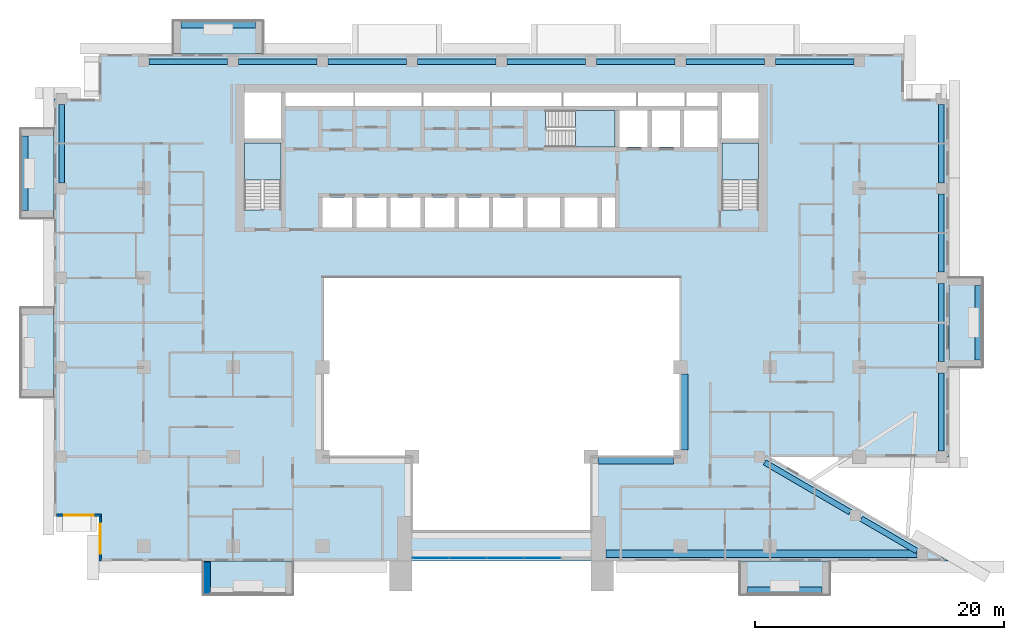
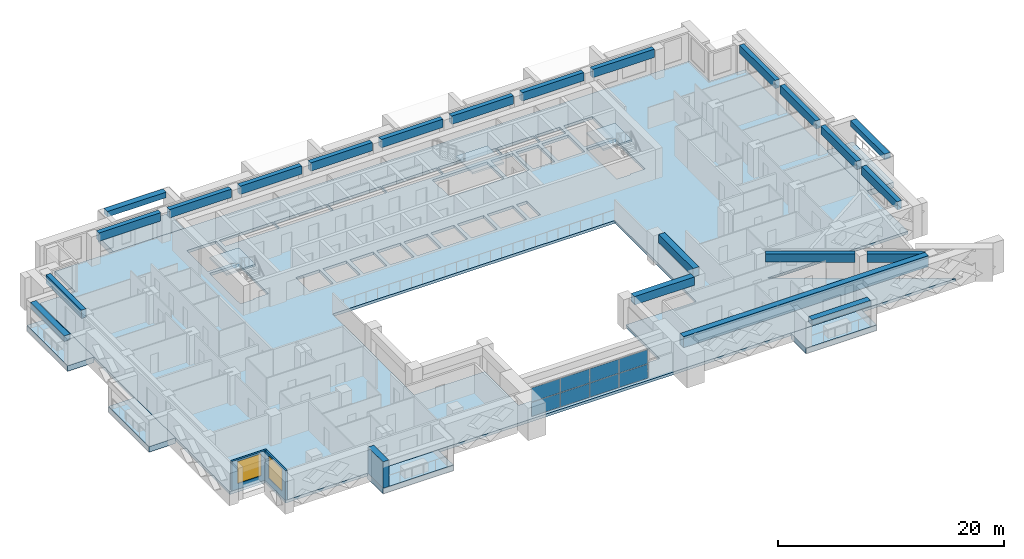
# One storey, part 5 of 20: 22 beams, 10 slabs, 8 plates, 3 walls, 2 windows, 2 openings, 4 elements without a shape of their own.
"""IFC4 building model written with IfcOpenShell, lengths in metres."""

from ifc_helpers import new_model, si_unit, direction, frame, frame_2d, origin, origin_2d, place, context, subcontext, project, spatial, polyline, rectangle, outline, extrude, source, transform, mapped, material, layer, layer_set, material_profile, profile_set, type_object, element, fill, aggregate, save


model = new_model("IFC4")

# Units and contexts
model_context = context("Model", 3, precision=1e-05, world=origin(), true_north=direction((0.0, 1.0)))
body_context = subcontext(model_context, "Body", "Model", "MODEL_VIEW")
ifc_project = project(units=[si_unit("LENGTHUNIT", "METRE"), si_unit("AREAUNIT", "SQUARE_METRE"), si_unit("VOLUMEUNIT", "CUBIC_METRE"), si_unit("PLANEANGLEUNIT", "RADIAN"), si_unit("MASSUNIT", "GRAM", prefix="KILO")], contexts=[model_context])

# Site, building, storey
site_placement = place(None, origin())
site = spatial("IfcSite", under=ifc_project, at=site_placement, CompositionType="ELEMENT")
building_placement = place(site_placement, origin())
building = spatial("IfcBuilding", under=site, at=building_placement, Name="Saffron Iwan Residences", CompositionType="ELEMENT")
storey_placement = place(building_placement, frame((0.0, 0.0, 123.5)))
storey = spatial("IfcBuildingStorey", under=building, at=storey_placement, Name="L32", CompositionType="ELEMENT", Elevation=123.5)

# Beams
ifc_material_1 = material(Name="Concrete C50/60", Category="concrete")
ifc_material_profile_1 = material_profile(ifc_material_1, rectangle(XDim=0.449951171875, YDim=0.89990234375, at=origin_2d()), Name="RC 450x900")
ifc_profile_set_1 = profile_set([ifc_material_profile_1], Name="Concrete C50/60")
beam_type_1 = type_object("IfcBeamType", Name="SPANDREL BEAM RC 450x900 C50/60 TOP 3200", PredefinedType="SPANDREL", material=ifc_profile_set_1)
shared_shape_1 = source(origin(), body_context, "Body", "SweptSolid", [
    extrude(rectangle(XDim=0.449951171875, YDim=0.89990234375, at=origin_2d()), origin(), (0.0, 0.0, 1.0), 5.184814453125),
])
beam_1_placement = place(storey_placement, frame((79.34765625, 43.019287109375, 2.75), z_axis=(0.86377206948, -0.503882736345, 0.0), x_axis=(0.503882736345, 0.86377206948, 0.0)))
element("IfcBeam", 1, at=beam_1_placement, inside=storey, type_object=beam_type_1, Name="Spandrel beam", PredefinedType="SPANDREL", context=body_context, shape_type="MappedRepresentation", body=[
    mapped(shared_shape_1, transform((0.0, 0.0, 0.0))),
])
shared_shape_2 = source(origin(), body_context, "Body", "SweptSolid", [
    extrude(rectangle(XDim=0.449951171875, YDim=0.89990234375, at=origin_2d()), origin(), (0.0, 0.0, 1.0), 7.9501953125),
])
beam_2_placement = place(storey_placement, frame((71.58056640625, 47.550048828125, 2.75), z_axis=(0.863778900898, -0.503871025524, 0.0), x_axis=(0.503871025524, 0.863778900898, 0.0)))
element("IfcBeam", 2, at=beam_2_placement, inside=storey, type_object=beam_type_1, Name="Spandrel beam", PredefinedType="SPANDREL", context=body_context, shape_type="MappedRepresentation", body=[
    mapped(shared_shape_2, transform((0.0, 0.0, 0.0))),
])
shared_shape_3 = source(origin(), body_context, "Body", "SweptSolid", [
    extrude(rectangle(XDim=0.449951171875, YDim=0.89990234375, at=origin_2d()), origin(), (0.0, 0.0, 1.0), 6.300048828125),
])
for number, where, z_axis, x_axis, name in (
    (3, (85.800048828125, 54.75, 2.75), (0.0, -1.0, 0.0), (1.0, 0.0, 0.0), "Spandrel beam"),
    (4, (85.800048828125, 61.949951171875, 2.75), (0.0, -1.0, 0.0), (1.0, 0.0, 0.0), "Spandrel beam"),
    (5, (15.0, 70.050048828125, 2.75), (0.0, 1.0, 0.0), (-1.0, 0.0, 0.0), "Spandrel beam"),
    (6, (85.800048828125, 76.35009765625, 2.75), (0.0, -1.0, 0.0), (1.0, 0.0, 0.0), "Spandrel beam"),
    (7, (22.050048828125, 79.800048828125, 2.75), (1.0, 0.0, 0.0), (0.0, 1.0, 0.0), "Spandrel beam"),
    (8, (29.25, 79.800048828125, 2.75), (1.0, 0.0, 0.0), (0.0, 1.0, 0.0), "Spandrel beam"),
    (9, (36.449951171875, 79.800048828125, 2.75), (1.0, 0.0, 0.0), (0.0, 1.0, 0.0), "Spandrel beam"),
    (10, (43.64990234375, 79.800048828125, 2.75), (1.0, 0.0, 0.0), (0.0, 1.0, 0.0), "Spandrel beam"),
    (11, (58.050048828125, 79.800048828125, 2.75), (1.0, 0.0, 0.0), (0.0, 1.0, 0.0), "Spandrel beam"),
    (12, (65.25, 79.800048828125, 2.75), (1.0, 0.0, 0.0), (0.0, 1.0, 0.0), "Spandrel beam"),
    (13, (72.449951171875, 79.800048828125, 2.75), (1.0, 0.0, 0.0), (0.0, 1.0, 0.0), "Spandrel beam"),
):
    element("IfcBeam", number, at=place(storey_placement, frame(where, z_axis=z_axis, x_axis=x_axis)), inside=storey, type_object=beam_type_1, Name=name, PredefinedType="SPANDREL", context=body_context, shape_type="MappedRepresentation", body=[
        mapped(shared_shape_3, transform((0.0, 0.0, 0.0))),
    ])
shared_shape_4 = source(origin(), body_context, "Body", "SweptSolid", [
    extrude(rectangle(XDim=0.449951171875, YDim=0.89990234375, at=origin_2d()), origin(), (0.0, 0.0, 1.0), 6.2998046875),
])
for number, where, z_axis, x_axis, name in (
    (14, (85.800048828125, 69.14990234375, 2.75), (0.0, -1.0, 0.0), (1.0, 0.0, 0.0), "Spandrel beam"),
    (15, (50.85009765625, 79.800048828125, 2.75), (1.0, 0.0, 0.0), (0.0, 1.0, 0.0), "Spandrel beam"),
):
    element("IfcBeam", number, at=place(storey_placement, frame(where, z_axis=z_axis, x_axis=x_axis)), inside=storey, type_object=beam_type_1, Name=name, PredefinedType="SPANDREL", context=body_context, shape_type="MappedRepresentation", body=[
        mapped(shared_shape_4, transform((0.0, 0.0, 0.0))),
    ])
ifc_material_profile_2 = material_profile(ifc_material_1, rectangle(XDim=0.60009765625, YDim=1.199951171875, at=origin_2d()), Name="RC 600x1200")
ifc_profile_set_2 = profile_set([ifc_material_profile_2], Name="Concrete C50/60")
beam_type_2 = type_object("IfcBeamType", Name="LINTEL BEAM RC 600x1200 C50/60 TOP 3200", PredefinedType="LINTEL", material=ifc_profile_set_2)
shared_shape_5 = source(origin(), body_context, "Body", "SweptSolid", [
    extrude(rectangle(XDim=0.60009765625, YDim=1.199951171875, at=origin_2d()), origin(), (0.0, 0.0, 1.0), 25.026123046875),
])
beam_3_placement = place(storey_placement, frame((83.826171875, 40.199951171875, 2.60009765625), z_axis=(-1.0, 0.0, 0.0), x_axis=(0.0, -1.0, 0.0)))
element("IfcBeam", 16, at=beam_3_placement, inside=storey, type_object=beam_type_2, Name="Lintel beam over the iwan", PredefinedType="LINTEL", context=body_context, shape_type="MappedRepresentation", body=[
    mapped(shared_shape_5, transform((0.0, 0.0, 0.0))),
])
ifc_material_profile_3 = material_profile(ifc_material_1, rectangle(XDim=0.60009765625, YDim=0.89990234375, at=origin_2d()), Name="RC 600x900")
ifc_profile_set_3 = profile_set([ifc_material_profile_3], Name="Concrete C50/60")
beam_type_3 = type_object("IfcBeamType", Name="BEAM RC 600x900 C50/60 TOP 3200", PredefinedType="BEAM", material=ifc_profile_set_3)
shared_shape_6 = source(origin(), body_context, "Body", "SweptSolid", [
    extrude(rectangle(XDim=0.60009765625, YDim=0.89990234375, at=origin_2d()), origin(), (0.0, 0.0, 1.0), 6.099853515625),
])
beam_4_placement = place(storey_placement, frame((65.10009765625, 54.64990234375, 2.75), z_axis=(0.0, -1.0, 0.0), x_axis=(1.0, 0.0, 0.0)))
element("IfcBeam", 17, at=beam_4_placement, inside=storey, type_object=beam_type_3, Name="Atrium edge beam", PredefinedType="BEAM", context=body_context, shape_type="MappedRepresentation", body=[
    mapped(shared_shape_6, transform((0.0, 0.0, 0.0))),
])
shared_shape_7 = source(origin(), body_context, "Body", "SweptSolid", [
    extrude(rectangle(XDim=0.60009765625, YDim=0.89990234375, at=origin_2d()), origin(), (0.0, 0.0, 1.0), 6.10009765625),
])
beam_5_placement = place(storey_placement, frame((64.25, 47.699951171875, 2.75), z_axis=(-1.0, 0.0, 0.0), x_axis=(0.0, -1.0, 0.0)))
element("IfcBeam", 18, at=beam_5_placement, inside=storey, type_object=beam_type_3, Name="Atrium edge beam", PredefinedType="BEAM", context=body_context, shape_type="MappedRepresentation", body=[
    mapped(shared_shape_7, transform((0.0, 0.0, 0.0))),
])
ifc_material_2 = material(Name="Concrete C50/60 white painted", Category="concrete")
ifc_material_profile_4 = material_profile(ifc_material_2, rectangle(XDim=0.60009765625, YDim=0.60009765625, at=origin_2d()), Name="BALCONY FASCIA BEAM 600 x 600")
ifc_profile_set_4 = profile_set([ifc_material_profile_4], Name="Concrete C50/60 white painted")
beam_type_4 = type_object("IfcBeamType", Name="BALCONY FASCIA BEAM 600 x 600", PredefinedType="BEAM", material=ifc_profile_set_4)
shared_shape_8 = source(origin(), body_context, "Body", "SweptSolid", [
    extrude(rectangle(XDim=0.60009765625, YDim=0.60009765625, at=origin_2d()), origin(), (0.0, 0.0, 1.0), 6.0),
])
for number, where, z_axis, x_axis, name in (
    (19, (88.800048828125, 55.800048828125, 2.550048828125), (0.0, 1.0, 0.0), (-1.0, 0.0, 0.0), "Balcony fascia beam L32 F2-0"),
    (20, (30.60009765625, 82.800048828125, 2.550048828125), (-1.0, 0.0, 0.0), (0.0, -1.0, 0.0), "Balcony fascia beam L32 F5-3"),
    (21, (12.0, 73.800048828125, 2.550048828125), (0.0, -1.0, 0.0), (1.0, 0.0, 0.0), "Balcony fascia beam L32 F8-0"),
    (22, (70.199951171875, 37.199951171875, 2.550048828125), (1.0, 0.0, 0.0), (0.0, 1.0, 0.0), "Balcony fascia beam L32 11-1"),
):
    element("IfcBeam", number, at=place(storey_placement, frame(where, z_axis=z_axis, x_axis=x_axis)), inside=storey, type_object=beam_type_4, Name=name, PredefinedType="BEAM", context=body_context, shape_type="MappedRepresentation", body=[
        mapped(shared_shape_8, transform((0.0, 0.0, 0.0))),
    ])

# Slabs
ifc_layer_1 = layer(ifc_material_2, 0.60009765625)
ifc_layer_set_1 = layer_set([ifc_layer_1], Name="Concrete C50/60 white painted")
slab_type_1 = type_object("IfcSlabType", Name="BALCONY FRAME SLAB 600", PredefinedType="FLOOR", material=ifc_layer_set_1)
slab_1_placement = place(storey_placement, frame((0.0, 0.0, -0.60009765625)))
element("IfcSlab", 23, at=slab_1_placement, inside=storey, type_object=slab_type_1, Name="Balcony frame slab L32 F2-0", PredefinedType="FLOOR", context=body_context, shape_type="SweptSolid", body=[
    extrude(outline(polyline([(89.10009765625, 55.199951171875), (89.10009765625, 62.39990234375), (86.39990234375, 62.39990234375), (86.39990234375, 55.199951171875), (89.10009765625, 55.199951171875)])), origin(), (0.0, 0.0, 1.0), 0.60009765625),
])
slab_2_placement = place(storey_placement, frame((0.0, 0.0, -0.60009765625)))
element("IfcSlab", 24, at=slab_2_placement, inside=storey, type_object=slab_type_1, Name="Balcony frame slab L32 F5-3", PredefinedType="FLOOR", context=body_context, shape_type="SweptSolid", body=[
    extrude(outline(polyline([(31.199951171875, 83.10009765625), (24.0, 83.10009765625), (24.0, 80.39990234375), (31.199951171875, 80.39990234375), (31.199951171875, 83.10009765625)])), origin(), (0.0, 0.0, 1.0), 0.60009765625),
])
slab_3_placement = place(storey_placement, frame((0.0, 0.0, -0.60009765625)))
element("IfcSlab", 25, at=slab_3_placement, inside=storey, type_object=slab_type_1, Name="Balcony frame slab L32 F8-0", PredefinedType="FLOOR", context=body_context, shape_type="SweptSolid", body=[
    extrude(outline(polyline([(11.699951171875, 74.39990234375), (11.699951171875, 67.199951171875), (14.39990234375, 67.199951171875), (14.39990234375, 74.39990234375), (11.699951171875, 74.39990234375)])), origin(), (0.0, 0.0, 1.0), 0.60009765625),
])
slab_4_placement = place(storey_placement, frame((0.0, 0.0, -0.60009765625)))
element("IfcSlab", 26, at=slab_4_placement, inside=storey, type_object=slab_type_1, Name="Balcony frame slab L32 F8-1", PredefinedType="FLOOR", context=body_context, shape_type="SweptSolid", body=[
    extrude(outline(polyline([(11.699951171875, 60.0), (11.699951171875, 52.800048828125), (14.39990234375, 52.800048828125), (14.39990234375, 60.0), (11.699951171875, 60.0)])), origin(), (0.0, 0.0, 1.0), 0.60009765625),
])
slab_5_placement = place(storey_placement, frame((0.0, 0.0, -0.60009765625)))
element("IfcSlab", 27, at=slab_5_placement, inside=storey, type_object=slab_type_1, Name="Balcony frame slab L32 11-0", PredefinedType="FLOOR", context=body_context, shape_type="SweptSolid", body=[
    extrude(outline(polyline([(26.39990234375, 36.89990234375), (33.60009765625, 36.89990234375), (33.60009765625, 39.60009765625), (26.39990234375, 39.60009765625), (26.39990234375, 36.89990234375)])), origin(), (0.0, 0.0, 1.0), 0.60009765625),
])
slab_6_placement = place(storey_placement, frame((0.0, 0.0, -0.60009765625)))
element("IfcSlab", 28, at=slab_6_placement, inside=storey, type_object=slab_type_1, Name="Balcony frame slab L32 11-1", PredefinedType="FLOOR", context=body_context, shape_type="SweptSolid", body=[
    extrude(outline(polyline([(69.60009765625, 36.89990234375), (76.800048828125, 36.89990234375), (76.800048828125, 39.60009765625), (69.60009765625, 39.60009765625), (69.60009765625, 36.89990234375)])), origin(), (0.0, 0.0, 1.0), 0.60009765625),
])
ifc_material_3 = material(Name="Concrete C40/50", Category="concrete")
ifc_layer_2 = layer(ifc_material_3, 0.300048828125)
ifc_layer_set_2 = layer_set([ifc_layer_2], Name="Concrete C40/50")
slab_type_2 = type_object("IfcSlabType", Name="PT PLATE 300 C40/50", PredefinedType="FLOOR", material=ifc_layer_set_2)
slab_7_placement = place(storey_placement, frame((0.0, 0.0, -0.300048828125)))
element("IfcSlab", 29, at=slab_7_placement, inside=storey, type_object=slab_type_2, Name="Floor slab L32", PredefinedType="FLOOR", context=body_context, shape_type="SweptSolid", body=[
    extrude(outline(polyline([(14.39990234375, 43.199951171875), (14.39990234375, 76.800048828125), (18.0, 76.800048828125), (18.0, 80.39990234375), (82.800048828125, 80.39990234375), (82.800048828125, 76.800048828125), (86.39990234375, 76.800048828125), (86.39990234375, 48.0), (72.0, 48.0), (86.39990234375, 39.60009765625), (18.0, 39.60009765625), (18.0, 43.199951171875), (14.39990234375, 43.199951171875)]), holes=[polyline([(64.800048828125, 48.0), (64.800048828125, 62.39990234375), (36.0, 62.39990234375), (36.0, 48.0), (43.199951171875, 48.0), (43.199951171875, 42.0), (57.60009765625, 42.0), (57.60009765625, 48.0), (64.800048828125, 48.0)]), polyline([(38.375, 68.875), (35.97509765625, 68.875), (35.97509765625, 66.449951171875), (38.375, 66.449951171875), (38.375, 68.875)]), polyline([(41.125, 66.449951171875), (41.125, 68.875), (38.72509765625, 68.875), (38.72509765625, 66.449951171875), (41.125, 66.449951171875)]), polyline([(43.875, 66.449951171875), (43.875, 68.875), (41.47509765625, 68.875), (41.47509765625, 66.449951171875), (43.875, 66.449951171875)]), polyline([(46.625, 68.875), (44.22509765625, 68.875), (44.22509765625, 66.449951171875), (46.625, 66.449951171875), (46.625, 68.875)]), polyline([(49.375, 66.449951171875), (49.375, 68.875), (46.97509765625, 68.875), (46.97509765625, 66.449951171875), (49.375, 66.449951171875)]), polyline([(52.125, 66.449951171875), (52.125, 68.875), (49.72509765625, 68.875), (49.72509765625, 66.449951171875), (52.125, 66.449951171875)]), polyline([(29.699951171875, 73.25), (29.699951171875, 67.949951171875), (29.699951171875, 67.8505859375), (31.10009765625, 67.8505859375), (31.10009765625, 67.949951171875), (32.64990234375, 67.949951171875), (32.64990234375, 73.25), (29.699951171875, 73.25)]), polyline([(32.64990234375, 73.60009765625), (32.64990234375, 77.300048828125), (29.699951171875, 77.300048828125), (29.699951171875, 73.60009765625), (32.64990234375, 73.60009765625)]), polyline([(38.5, 76.22509765625), (38.5, 77.300048828125), (33.0, 77.300048828125), (33.0, 76.22509765625), (38.5, 76.22509765625)]), polyline([(44.0, 77.300048828125), (38.60009765625, 77.300048828125), (38.60009765625, 76.22509765625), (44.0, 76.22509765625), (44.0, 77.300048828125)]), polyline([(49.5, 76.22509765625), (49.5, 77.300048828125), (44.10009765625, 77.300048828125), (44.10009765625, 76.22509765625), (49.5, 76.22509765625)]), polyline([(55.25, 76.22509765625), (55.25, 77.300048828125), (49.60009765625, 77.300048828125), (49.60009765625, 76.22509765625), (55.25, 76.22509765625)]), polyline([(55.125, 68.875), (52.47509765625, 68.875), (52.47509765625, 66.449951171875), (55.125, 66.449951171875), (55.125, 68.875)]), polyline([(58.125, 66.449951171875), (58.125, 68.875), (55.47509765625, 68.875), (55.47509765625, 66.449951171875), (58.125, 66.449951171875)]), polyline([(59.550048828125, 66.449951171875), (59.550048828125, 68.875), (58.47509765625, 68.875), (58.47509765625, 66.449951171875), (59.550048828125, 66.449951171875)]), polyline([(68.14990234375, 73.25), (68.14990234375, 67.949951171875), (68.14990234375, 67.8505859375), (69.550048828125, 67.8505859375), (69.550048828125, 67.949951171875), (71.10009765625, 67.949951171875), (71.10009765625, 73.25), (68.14990234375, 73.25)]), polyline([(53.925537109375, 74.47509765625), (54.02490234375, 74.47509765625), (54.02490234375, 72.925048828125), (59.550048828125, 72.925048828125), (59.550048828125, 75.875), (54.02490234375, 75.875), (53.925537109375, 75.875), (53.925537109375, 74.47509765625)]), polyline([(62.14990234375, 72.925048828125), (62.14990234375, 75.875), (59.89990234375, 75.875), (59.89990234375, 72.925048828125), (62.14990234375, 72.925048828125)]), polyline([(64.75, 75.875), (62.5, 75.875), (62.5, 72.925048828125), (64.75, 72.925048828125), (64.75, 75.875)]), polyline([(67.800048828125, 72.925048828125), (67.800048828125, 75.875), (65.10009765625, 75.875), (65.10009765625, 72.925048828125), (67.800048828125, 72.925048828125)]), polyline([(71.10009765625, 73.60009765625), (71.10009765625, 77.300048828125), (68.14990234375, 77.300048828125), (68.14990234375, 73.60009765625), (71.10009765625, 73.60009765625)]), polyline([(61.25, 77.300048828125), (55.35009765625, 77.300048828125), (55.35009765625, 76.22509765625), (61.25, 76.22509765625), (61.25, 77.300048828125)]), polyline([(65.14990234375, 76.22509765625), (65.14990234375, 77.300048828125), (61.35009765625, 77.300048828125), (61.35009765625, 76.22509765625), (65.14990234375, 76.22509765625)]), polyline([(67.800048828125, 76.22509765625), (67.800048828125, 77.300048828125), (65.25, 77.300048828125), (65.25, 76.22509765625), (67.800048828125, 76.22509765625)])]), origin(), (0.0, 0.0, 1.0), 0.300048828125),
])

# Stair, slab
stair_type = type_object("IfcStairType", Name="Stair ST-CORE", PredefinedType="HALF_TURN_STAIR", material=ifc_material_1)
stair_1_placement = place(storey_placement, origin())
stair_1 = element("IfcStair", 30, at=stair_1_placement, inside=storey, type_object=stair_type, Name="L32 Exit Stair ST-W", PredefinedType="HALF_TURN_STAIR")
ifc_layer_3 = layer(ifc_material_1, 0.199951171875)
ifc_layer_set_3 = layer_set([ifc_layer_3], Name="Concrete C50/60")
slab_type_3 = type_object("IfcSlabType", Name="Stair landing SL-RC", PredefinedType="LANDING", material=ifc_layer_set_3)
slab_8_placement = place(storey_placement, frame((0.0, 0.0, 1.5498046875)))
slab_8 = element("IfcSlab", 31, at=slab_8_placement, type_object=slab_type_3, Name="ST-W landing 1", PredefinedType="LANDING", context=body_context, shape_type="SweptSolid", body=[
    extrude(outline(polyline([(32.64990234375, 70.280029296875), (32.64990234375, 73.25), (29.699951171875, 73.25), (29.699951171875, 70.280029296875), (32.64990234375, 70.280029296875)])), origin(), (0.0, 0.0, 1.0), 0.2001953125),
])
aggregate(stair_1, [slab_8])

stair_2_placement = place(storey_placement, origin())
stair_2 = element("IfcStair", 32, at=stair_2_placement, inside=storey, type_object=stair_type, Name="L32 Exit Stair ST-C", PredefinedType="HALF_TURN_STAIR")
slab_9_placement = place(storey_placement, frame((0.0, 0.0, 1.5498046875)))
slab_9 = element("IfcSlab", 33, at=slab_9_placement, type_object=slab_type_3, Name="ST-C landing 1", PredefinedType="LANDING", context=body_context, shape_type="SweptSolid", body=[
    extrude(outline(polyline([(56.35498046875, 72.925048828125), (59.550048828125, 72.925048828125), (59.550048828125, 75.875), (56.35498046875, 75.875), (56.35498046875, 72.925048828125)])), origin(), (0.0, 0.0, 1.0), 0.2001953125),
])
aggregate(stair_2, [slab_9])

stair_3_placement = place(storey_placement, origin())
stair_3 = element("IfcStair", 34, at=stair_3_placement, inside=storey, type_object=stair_type, Name="L32 Exit Stair ST-E", PredefinedType="HALF_TURN_STAIR")
slab_10_placement = place(storey_placement, frame((0.0, 0.0, 1.5498046875)))
slab_10 = element("IfcSlab", 35, at=slab_10_placement, type_object=slab_type_3, Name="ST-E landing 1", PredefinedType="LANDING", context=body_context, shape_type="SweptSolid", body=[
    extrude(outline(polyline([(71.10009765625, 70.280029296875), (71.10009765625, 73.25), (68.14990234375, 73.25), (68.14990234375, 70.280029296875), (71.10009765625, 70.280029296875)])), origin(), (0.0, 0.0, 1.0), 0.2001953125),
])
aggregate(stair_3, [slab_10])

# Curtain wall, plates
ifc_material_4 = material(Name="Clear glass, laminated double glazed", Category="glass")
ifc_layer_4 = layer(ifc_material_4, 0.199951171875)
ifc_layer_set_4 = layer_set([ifc_layer_4], Name="Clear glass, laminated double glazed")
curtain_wall_type = type_object("IfcCurtainWallType", Name="CW-B IWAN PORTAL", PredefinedType="NOTDEFINED", material=ifc_layer_set_4)
curtain_wall_placement = place(storey_placement, origin())
curtain_wall = element("IfcCurtainWall", 36, at=curtain_wall_placement, inside=storey, type_object=curtain_wall_type, Name="Iwan portal glazing L32.1", PredefinedType="NOTDEFINED")
ifc_layer_5 = layer(ifc_material_4, 0.028076171875)
ifc_layer_set_5 = layer_set([ifc_layer_5], Name="Clear glass, laminated double glazed")
plate_type = type_object("IfcPlateType", Name="CW-B PANEL 28", PredefinedType="CURTAIN_PANEL", material=ifc_layer_set_5)
shared_shape_9 = source(origin(), body_context, "Body", "SweptSolid", [
    extrude(rectangle(XDim=2.909912109375, YDim=0.028076171875, at=origin_2d()), origin(), (0.0, 0.0, 1.0), 1.510009765625),
])
plate_1_placement = place(storey_placement, frame((44.715087890625, 39.85009765625, 0.06005859375), z_axis=(0.0, 0.0, 1.0), x_axis=(1.0, 0.0, 0.0)))
plate_1 = element("IfcPlate", 37, at=plate_1_placement, type_object=plate_type, Name="CW-B panel 1.1", PredefinedType="CURTAIN_PANEL", context=body_context, shape_type="MappedRepresentation", body=[
    mapped(shared_shape_9, transform((0.0, 0.0, 0.0))),
])
plate_2_placement = place(storey_placement, frame((44.715087890625, 39.85009765625, 1.6298828125), z_axis=(0.0, 0.0, 1.0), x_axis=(1.0, 0.0, 0.0)))
plate_2 = element("IfcPlate", 38, at=plate_2_placement, type_object=plate_type, Name="CW-B panel 1.2", PredefinedType="CURTAIN_PANEL", context=body_context, shape_type="MappedRepresentation", body=[
    mapped(shared_shape_9, transform((0.0, 0.0, 0.0))),
])
plate_3_placement = place(storey_placement, frame((53.68505859375, 39.85009765625, 0.06005859375), z_axis=(0.0, 0.0, 1.0), x_axis=(1.0, 0.0, 0.0)))
plate_3 = element("IfcPlate", 39, at=plate_3_placement, type_object=plate_type, Name="CW-B panel 4.1", PredefinedType="CURTAIN_PANEL", context=body_context, shape_type="MappedRepresentation", body=[
    mapped(shared_shape_9, transform((0.0, 0.0, 0.0))),
])
plate_4_placement = place(storey_placement, frame((53.68505859375, 39.85009765625, 1.6298828125), z_axis=(0.0, 0.0, 1.0), x_axis=(1.0, 0.0, 0.0)))
plate_4 = element("IfcPlate", 40, at=plate_4_placement, type_object=plate_type, Name="CW-B panel 4.2", PredefinedType="CURTAIN_PANEL", context=body_context, shape_type="MappedRepresentation", body=[
    mapped(shared_shape_9, transform((0.0, 0.0, 0.0))),
])
shared_shape_10 = source(origin(), body_context, "Body", "SweptSolid", [
    extrude(rectangle(XDim=2.93994140625, YDim=0.028076171875, at=origin_2d()), origin(), (0.0, 0.0, 1.0), 1.510009765625),
])
plate_5_placement = place(storey_placement, frame((47.699951171875, 39.85009765625, 0.06005859375), z_axis=(0.0, 0.0, 1.0), x_axis=(1.0, 0.0, 0.0)))
plate_5 = element("IfcPlate", 41, at=plate_5_placement, type_object=plate_type, Name="CW-B panel 2.1", PredefinedType="CURTAIN_PANEL", context=body_context, shape_type="MappedRepresentation", body=[
    mapped(shared_shape_10, transform((0.0, 0.0, 0.0))),
])
plate_6_placement = place(storey_placement, frame((47.699951171875, 39.85009765625, 1.6298828125), z_axis=(0.0, 0.0, 1.0), x_axis=(1.0, 0.0, 0.0)))
plate_6 = element("IfcPlate", 42, at=plate_6_placement, type_object=plate_type, Name="CW-B panel 2.2", PredefinedType="CURTAIN_PANEL", context=body_context, shape_type="MappedRepresentation", body=[
    mapped(shared_shape_10, transform((0.0, 0.0, 0.0))),
])
plate_7_placement = place(storey_placement, frame((50.699951171875, 39.85009765625, 0.06005859375), z_axis=(0.0, 0.0, 1.0), x_axis=(1.0, 0.0, 0.0)))
plate_7 = element("IfcPlate", 43, at=plate_7_placement, type_object=plate_type, Name="CW-B panel 3.1", PredefinedType="CURTAIN_PANEL", context=body_context, shape_type="MappedRepresentation", body=[
    mapped(shared_shape_10, transform((0.0, 0.0, 0.0))),
])
plate_8_placement = place(storey_placement, frame((50.699951171875, 39.85009765625, 1.6298828125), z_axis=(0.0, 0.0, 1.0), x_axis=(1.0, 0.0, 0.0)))
plate_8 = element("IfcPlate", 44, at=plate_8_placement, type_object=plate_type, Name="CW-B panel 3.2", PredefinedType="CURTAIN_PANEL", context=body_context, shape_type="MappedRepresentation", body=[
    mapped(shared_shape_10, transform((0.0, 0.0, 0.0))),
])
aggregate(curtain_wall, [plate_1, plate_2, plate_5, plate_6, plate_7, plate_8, plate_3, plate_4])

# Wall
ifc_layer_6 = layer(ifc_material_2, 0.60009765625)
ifc_layer_set_6 = layer_set([ifc_layer_6], Name="Concrete C50/60 white painted")
wall_type_1 = type_object("IfcWallType", Name="BALCONY FIN 600", PredefinedType="SOLIDWALL", material=ifc_layer_set_6)
wall_1_placement = place(storey_placement, frame((26.699951171875, 39.550048828125, 0.0), z_axis=(0.0, 0.0, 1.0), x_axis=(0.0, -1.0, 0.0)))
element("IfcWall", 45, at=wall_1_placement, inside=storey, type_object=wall_type_1, Name="Balcony fin L32 11-0a", PredefinedType="SOLIDWALL", context=body_context, shape_type="SweptSolid", body=[
    extrude(rectangle(XDim=2.650146484375, YDim=0.60009765625, at=frame_2d((1.3251953125, 0.0))), origin(), (0.0, 0.0, 1.0), 2.85009765625),
])

# Wall, opening, window
ifc_layer_7 = layer(ifc_material_3, 0.199951171875)
ifc_layer_set_7 = layer_set([ifc_layer_7], Name="Concrete C40/50")
wall_type_2 = type_object("IfcWallType", Name="EXTERNAL WALL 200", PredefinedType="SOLIDWALL", material=ifc_layer_set_7)
wall_2_placement = place(storey_placement, frame((14.60009765625, 43.300048828125, 0.0), z_axis=(0.0, 0.0, 1.0), x_axis=(1.0, 0.0, 0.0)))
wall_2 = element("IfcWall", 46, at=wall_2_placement, inside=storey, type_object=wall_type_2, Name="External wall L32 F9.0", PredefinedType="SOLIDWALL", context=body_context, shape_type="SweptSolid", body=[
    extrude(rectangle(XDim=3.599853515625, YDim=0.199951171875, at=frame_2d((1.7998046875, 0.0))), origin(), (0.0, 0.0, 1.0), 3.199951171875),
])
opening_1_placement = place(wall_2_placement, frame((0.60009765625, 0.0, 0.60009765625)))
opening_1 = element("IfcOpeningElement", 47, at=opening_1_placement, cuts=wall_2, Name="Opening W1", PredefinedType="OPENING", context=body_context, shape_type="SweptSolid", body=[
    extrude(rectangle(XDim=2.39990234375, YDim=2.39990234375, at=frame_2d((1.199951171875, 1.199951171875))), frame((0.0, 0.10986328125, 0.0), z_axis=(0.0, -1.0, 0.0), x_axis=(1.0, 0.0, 0.0)), (0.0, 0.0, 1.0), 0.219970703125),
])
window_type = type_object("IfcWindowType", Name="WINDOW 2400 x 2400", PartitioningType="DOUBLE_PANEL_VERTICAL", PredefinedType="WINDOW", material=ifc_material_4)
window_1_placement = place(opening_1_placement, origin())
window_1 = element("IfcWindow", 48, at=window_1_placement, inside=storey, type_object=window_type, Name="Window L32 F9.0", OverallHeight=2.39990234375, OverallWidth=2.39990234375, PartitioningType="DOUBLE_PANEL_VERTICAL", PredefinedType="WINDOW", context=body_context, shape_type="SweptSolid", body=[
    extrude(rectangle(XDim=2.39990234375, YDim=2.39990234375, at=frame_2d((1.199951171875, 1.199951171875))), frame((0.0, 0.030029296875, 0.0), z_axis=(0.0, -1.0, 0.0), x_axis=(1.0, 0.0, 0.0)), (0.0, 0.0, 1.0), 0.06005859375),
])
fill(opening_1, window_1)

wall_3_placement = place(storey_placement, frame((18.10009765625, 43.199951171875, 0.0), z_axis=(0.0, 0.0, 1.0), x_axis=(0.0, -1.0, 0.0)))
wall_3 = element("IfcWall", 49, at=wall_3_placement, inside=storey, type_object=wall_type_2, Name="External wall L32 F10.0", PredefinedType="SOLIDWALL", context=body_context, shape_type="SweptSolid", body=[
    extrude(rectangle(XDim=3.599853515625, YDim=0.199951171875, at=frame_2d((1.7998046875, 0.0))), origin(), (0.0, 0.0, 1.0), 3.199951171875),
])
opening_2_placement = place(wall_3_placement, frame((0.60009765625, 0.0, 0.60009765625)))
opening_2 = element("IfcOpeningElement", 50, at=opening_2_placement, cuts=wall_3, Name="Opening W1", PredefinedType="OPENING", context=body_context, shape_type="SweptSolid", body=[
    extrude(rectangle(XDim=2.39990234375, YDim=2.39990234375, at=frame_2d((1.199951171875, 1.199951171875))), frame((0.0, 0.10986328125, 0.0), z_axis=(0.0, -1.0, 0.0), x_axis=(1.0, 0.0, 0.0)), (0.0, 0.0, 1.0), 0.219970703125),
])
window_2_placement = place(opening_2_placement, origin())
window_2 = element("IfcWindow", 51, at=window_2_placement, inside=storey, type_object=window_type, Name="Window L32 F10.0", OverallHeight=2.39990234375, OverallWidth=2.39990234375, PartitioningType="DOUBLE_PANEL_VERTICAL", PredefinedType="WINDOW", context=body_context, shape_type="SweptSolid", body=[
    extrude(rectangle(XDim=2.39990234375, YDim=2.39990234375, at=frame_2d((1.199951171875, 1.199951171875))), frame((0.0, 0.030029296875, 0.0), z_axis=(0.0, -1.0, 0.0), x_axis=(1.0, 0.0, 0.0)), (0.0, 0.0, 1.0), 0.06005859375),
])
fill(opening_2, window_2)

save(model, "model.ifc")
